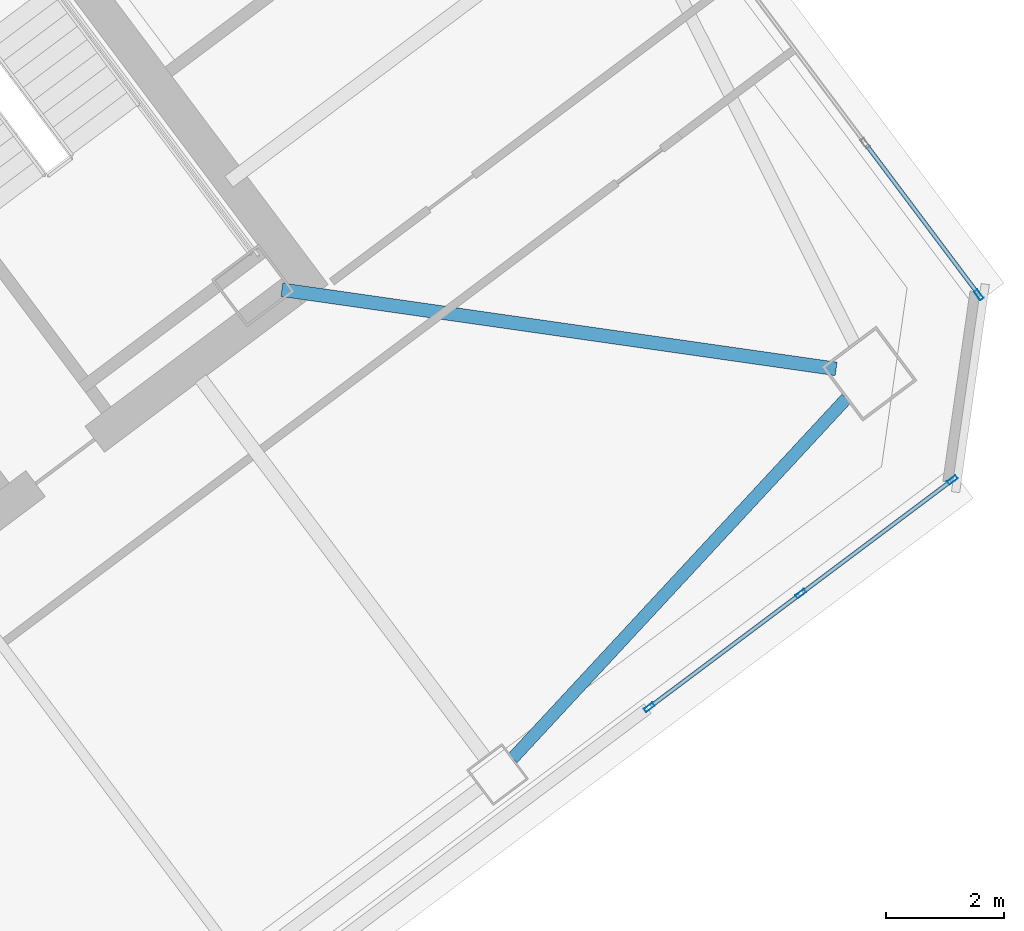
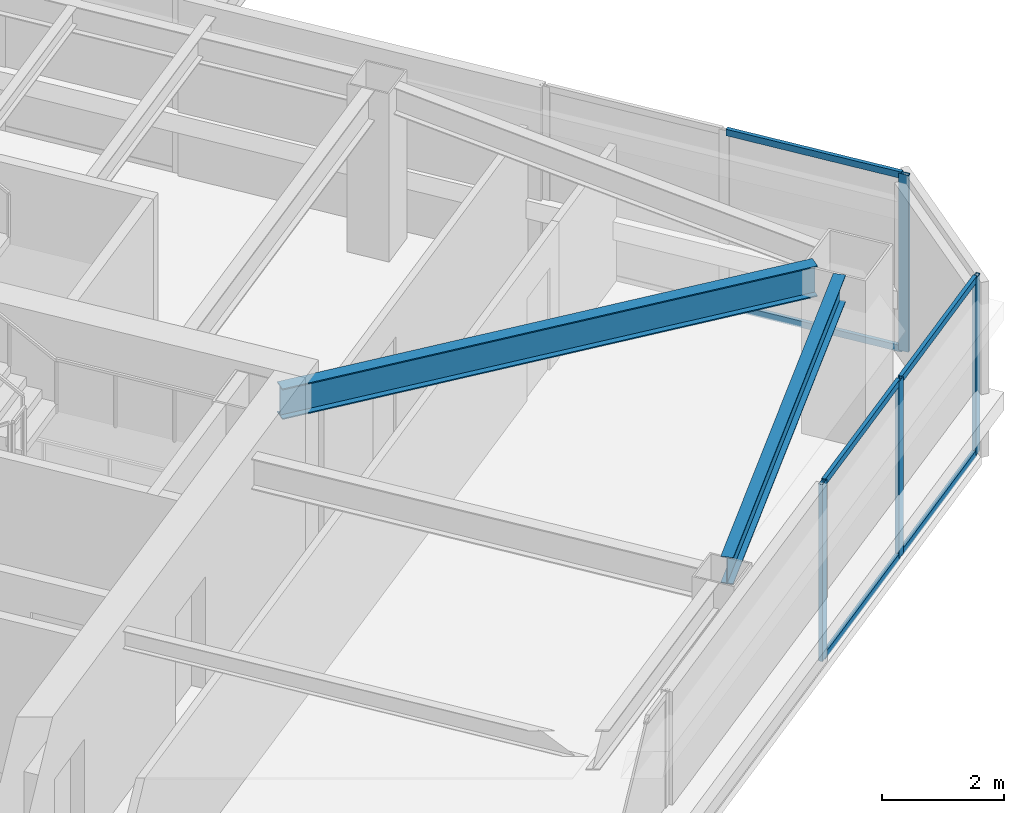
# One storey, part 26 of 44: 10 members, 2 beams, 2 elements without a shape of their own.
"""IFC4 building model written with IfcOpenShell, lengths in metres."""

from ifc_helpers import new_model, si_unit, direction, frame, origin, origin_2d, place, context, subcontext, project, spatial, hollow_rectangle, i_section, extrude, material, material_profile, profile_set, type_object, element, aggregate, save


model = new_model("IFC4")

# Units and contexts
model_context = context("Model", 3, precision=1e-05, world=origin(), true_north=direction((0.0, 1.0)))
body_context = subcontext(model_context, "Body", "Model", "MODEL_VIEW")
ifc_project = project(units=[si_unit("LENGTHUNIT", "METRE"), si_unit("AREAUNIT", "SQUARE_METRE"), si_unit("VOLUMEUNIT", "CUBIC_METRE"), si_unit("PLANEANGLEUNIT", "RADIAN"), si_unit("MASSUNIT", "GRAM", prefix="KILO")], contexts=[model_context])

# Site, building, storey
site_placement = place(None, origin())
site = spatial("IfcSite", under=ifc_project, at=site_placement, CompositionType="ELEMENT")
building_placement = place(site_placement, origin())
building = spatial("IfcBuilding", under=site, at=building_placement, Name="Tashvorn Skyway Center", CompositionType="ELEMENT")
storey_placement = place(building_placement, frame((0.0, 0.0, 181.85009765625)))
storey = spatial("IfcBuildingStorey", under=building, at=storey_placement, Name="L49", CompositionType="ELEMENT", Elevation=181.85009765625)

# Beams
ifc_material_1 = material(Name="Steel ASTM A992 Grade 50", Category="steel")
ifc_material_profile_1 = material_profile(ifc_material_1, i_section(OverallWidth=0.22998046875, OverallDepth=0.616943359375, WebThickness=0.01318359375, FlangeThickness=0.022216796875, at=origin_2d()), Name="W24X94")
ifc_profile_set_1 = profile_set([ifc_material_profile_1], Name="Steel ASTM A992 Grade 50")
beam_type_1 = type_object("IfcBeamType", Name="BM-BEAM-W24X94", PredefinedType="BEAM", material=ifc_profile_set_1)
beam_1_placement = place(storey_placement, frame((133.73583984375, 29.1806640625, 3.0615234375), z_axis=(-0.989950009213, 0.141417747326, 0.0), x_axis=(-0.141417747326, -0.989950009213, 0.0)))
element("IfcBeam", 1, at=beam_1_placement, inside=storey, type_object=beam_type_1, Name="Tower 2 L49 Primary Floor Girder MC-SE", PredefinedType="BEAM", context=body_context, shape_type="SweptSolid", body=[
    extrude(i_section(OverallWidth=0.22998046875, OverallDepth=0.616943359375, WebThickness=0.01318359375, FlangeThickness=0.022216796875, at=origin_2d()), origin(), (0.0, 0.0, 1.0), 9.470947265625),
])
ifc_material_profile_2 = material_profile(ifc_material_1, i_section(OverallWidth=0.2109375, OverallDepth=0.5390625, WebThickness=0.01171875, FlangeThickness=0.018798828125, at=origin_2d()), Name="W21X73")
ifc_profile_set_2 = profile_set([ifc_material_profile_2], Name="Steel ASTM A992 Grade 50")
beam_type_2 = type_object("IfcBeamType", Name="BM-SPANDREL-W21X73", PredefinedType="SPANDREL", material=ifc_profile_set_2)
beam_2_placement = place(storey_placement, frame((128.26171875, 22.59130859375, 3.100341796875), z_axis=(0.680119661736, 0.733101115618, 0.0), x_axis=(-0.733101115618, 0.680119661736, 0.0)))
element("IfcBeam", 2, at=beam_2_placement, inside=storey, type_object=beam_type_2, Name="Tower 2 L49 Spandrel Beam 03", PredefinedType="SPANDREL", context=body_context, shape_type="SweptSolid", body=[
    extrude(i_section(OverallWidth=0.2109375, OverallDepth=0.5390625, WebThickness=0.01171875, FlangeThickness=0.018798828125, at=origin_2d()), origin(), (0.0, 0.0, 1.0), 8.308349609375),
])

# Curtain wall, members
ifc_material_2 = material(Name="Thermally broken bronze-anodized aluminium 6063-T6", Category="aluminium")
curtain_wall_type = type_object("IfcCurtainWallType", Name="CW-CW-Z4", PredefinedType="NOTDEFINED", material=ifc_material_2)
curtain_wall_1_placement = place(storey_placement, origin())
curtain_wall_1 = element("IfcCurtainWall", 3, at=curtain_wall_1_placement, inside=storey, type_object=curtain_wall_type, Name="Tower 2 L49 South Unitised Curtain Wall Glazing Group 1", PredefinedType="NOTDEFINED")
ifc_material_profile_3 = material_profile(ifc_material_2, hollow_rectangle(XDim=0.070068359375, YDim=0.179931640625, WallThickness=0.00390625, at=origin_2d()), Name="ALU-MULL-70x180")
ifc_profile_set_3 = profile_set([ifc_material_profile_3], Name="Thermally broken bronze-anodized aluminium 6063-T6")
member_type_1 = type_object("IfcMemberType", Name="CWM-CW-Z4", PredefinedType="MULLION", material=ifc_profile_set_3)
member_1_placement = place(storey_placement, frame((135.7041015625, 27.302978515625, 0.0), z_axis=(0.0, 0.0, 1.0), x_axis=(0.600000000002, -0.799999999998, 0.0)))
member_1 = element("IfcMember", 4, at=member_1_placement, type_object=member_type_1, Name="CW-Z4 mullion 1", PredefinedType="MULLION", context=body_context, shape_type="SweptSolid", body=[
    extrude(hollow_rectangle(XDim=0.070068359375, YDim=0.179931640625, WallThickness=0.00390625, at=origin_2d()), origin(), (0.0, 0.0, 1.0), 3.5498046875),
])
member_2_placement = place(storey_placement, frame((133.139892578125, 25.3798828125, 0.0), z_axis=(0.0, 0.0, 1.0), x_axis=(0.600000000002, -0.799999999998, 0.0)))
member_2 = element("IfcMember", 5, at=member_2_placement, type_object=member_type_1, Name="CW-Z4 mullion 2", PredefinedType="MULLION", context=body_context, shape_type="SweptSolid", body=[
    extrude(hollow_rectangle(XDim=0.070068359375, YDim=0.179931640625, WallThickness=0.00390625, at=origin_2d()), origin(), (0.0, 0.0, 1.0), 3.5498046875),
])
member_3_placement = place(storey_placement, frame((130.575927734375, 23.45703125, 0.0), z_axis=(0.0, 0.0, 1.0), x_axis=(0.600000000002, -0.799999999998, 0.0)))
member_3 = element("IfcMember", 6, at=member_3_placement, type_object=member_type_1, Name="CW-Z4 mullion 3", PredefinedType="MULLION", context=body_context, shape_type="SweptSolid", body=[
    extrude(hollow_rectangle(XDim=0.070068359375, YDim=0.179931640625, WallThickness=0.00390625, at=origin_2d()), origin(), (0.0, 0.0, 1.0), 3.5498046875),
])

# Curtain wall, member
curtain_wall_2_placement = place(storey_placement, origin())
curtain_wall_2 = element("IfcCurtainWall", 7, at=curtain_wall_2_placement, inside=storey, type_object=curtain_wall_type, Name="Tower 2 L49 East Unitised Curtain Wall Glazing Group 3", PredefinedType="NOTDEFINED")
member_4_placement = place(storey_placement, frame((136.15087890625, 30.431884765625, 0.0), z_axis=(0.0, 0.0, 1.0), x_axis=(0.799999999998, 0.600000000002, 0.0)))
member_4 = element("IfcMember", 8, at=member_4_placement, type_object=member_type_1, Name="CW-Z4 mullion 3", PredefinedType="MULLION", context=body_context, shape_type="SweptSolid", body=[
    extrude(hollow_rectangle(XDim=0.070068359375, YDim=0.179931640625, WallThickness=0.00390625, at=origin_2d()), origin(), (0.0, 0.0, 1.0), 3.5498046875),
])

# Member
ifc_material_profile_4 = material_profile(ifc_material_2, hollow_rectangle(XDim=0.070068359375, YDim=0.1298828125, WallThickness=0.00390625, at=origin_2d()), Name="ALU-TRAN-70x130")
ifc_profile_set_4 = profile_set([ifc_material_profile_4], Name="Thermally broken bronze-anodized aluminium 6063-T6")
member_type_2 = type_object("IfcMemberType", Name="CWT-CW-Z4", PredefinedType="USERDEFINED", material=ifc_profile_set_4)
member_5_placement = place(storey_placement, frame((135.676025390625, 27.281982421875, 0.034912109375), z_axis=(-0.799990655127, -0.600012459628, 0.0), x_axis=(0.600012459628, -0.799990655127, 0.0)))
member_5 = element("IfcMember", 9, at=member_5_placement, type_object=member_type_2, Name="CW-Z4 transom 1.1", ObjectType="TRANSOM", PredefinedType="USERDEFINED", context=body_context, shape_type="SweptSolid", body=[
    extrude(hollow_rectangle(XDim=0.070068359375, YDim=0.1298828125, WallThickness=0.00390625, at=origin_2d()), origin(), (0.0, 0.0, 1.0), 3.135009765625),
])

member_6_placement = place(storey_placement, frame((135.676025390625, 27.281982421875, 3.514892578125), z_axis=(-0.799990655127, -0.600012459628, 0.0), x_axis=(0.600012459628, -0.799990655127, 0.0)))
member_6 = element("IfcMember", 10, at=member_6_placement, type_object=member_type_2, Name="CW-Z4 transom 1.2", ObjectType="TRANSOM", PredefinedType="USERDEFINED", context=body_context, shape_type="SweptSolid", body=[
    extrude(hollow_rectangle(XDim=0.070068359375, YDim=0.1298828125, WallThickness=0.00390625, at=origin_2d()), origin(), (0.0, 0.0, 1.0), 3.135009765625),
])

member_7_placement = place(storey_placement, frame((133.112060546875, 25.35888671875, 0.034912109375), z_axis=(-0.800028034763, -0.599962618496, 0.0), x_axis=(0.599962618496, -0.800028034763, 0.0)))
member_7 = element("IfcMember", 11, at=member_7_placement, type_object=member_type_2, Name="CW-Z4 transom 2.1", ObjectType="TRANSOM", PredefinedType="USERDEFINED", context=body_context, shape_type="SweptSolid", body=[
    extrude(hollow_rectangle(XDim=0.070068359375, YDim=0.1298828125, WallThickness=0.00390625, at=origin_2d()), origin(), (0.0, 0.0, 1.0), 3.135009765625),
])

member_8_placement = place(storey_placement, frame((133.112060546875, 25.35888671875, 3.514892578125), z_axis=(-0.800028034763, -0.599962618496, 0.0), x_axis=(0.599962618496, -0.800028034763, 0.0)))
member_8 = element("IfcMember", 12, at=member_8_placement, type_object=member_type_2, Name="CW-Z4 transom 2.2", ObjectType="TRANSOM", PredefinedType="USERDEFINED", context=body_context, shape_type="SweptSolid", body=[
    extrude(hollow_rectangle(XDim=0.070068359375, YDim=0.1298828125, WallThickness=0.00390625, at=origin_2d()), origin(), (0.0, 0.0, 1.0), 3.135009765625),
])

aggregate(curtain_wall_1, [member_1, member_2, member_3, member_5, member_6, member_7, member_8])

member_9_placement = place(storey_placement, frame((134.2490234375, 32.968017578125, 0.034912109375), z_axis=(0.599962618496, -0.800028034763, 0.0), x_axis=(0.800028034763, 0.599962618496, 0.0)))
member_9 = element("IfcMember", 13, at=member_9_placement, type_object=member_type_2, Name="CW-Z4 transom 2.1", ObjectType="TRANSOM", PredefinedType="USERDEFINED", context=body_context, shape_type="SweptSolid", body=[
    extrude(hollow_rectangle(XDim=0.070068359375, YDim=0.1298828125, WallThickness=0.00390625, at=origin_2d()), origin(), (0.0, 0.0, 1.0), 3.135009765625),
])

member_10_placement = place(storey_placement, frame((134.2490234375, 32.968017578125, 3.514892578125), z_axis=(0.599962618496, -0.800028034763, 0.0), x_axis=(0.800028034763, 0.599962618496, 0.0)))
member_10 = element("IfcMember", 14, at=member_10_placement, type_object=member_type_2, Name="CW-Z4 transom 2.2", ObjectType="TRANSOM", PredefinedType="USERDEFINED", context=body_context, shape_type="SweptSolid", body=[
    extrude(hollow_rectangle(XDim=0.070068359375, YDim=0.1298828125, WallThickness=0.00390625, at=origin_2d()), origin(), (0.0, 0.0, 1.0), 3.135009765625),
])

aggregate(curtain_wall_2, [member_4, member_9, member_10])

save(model, "model.ifc")
